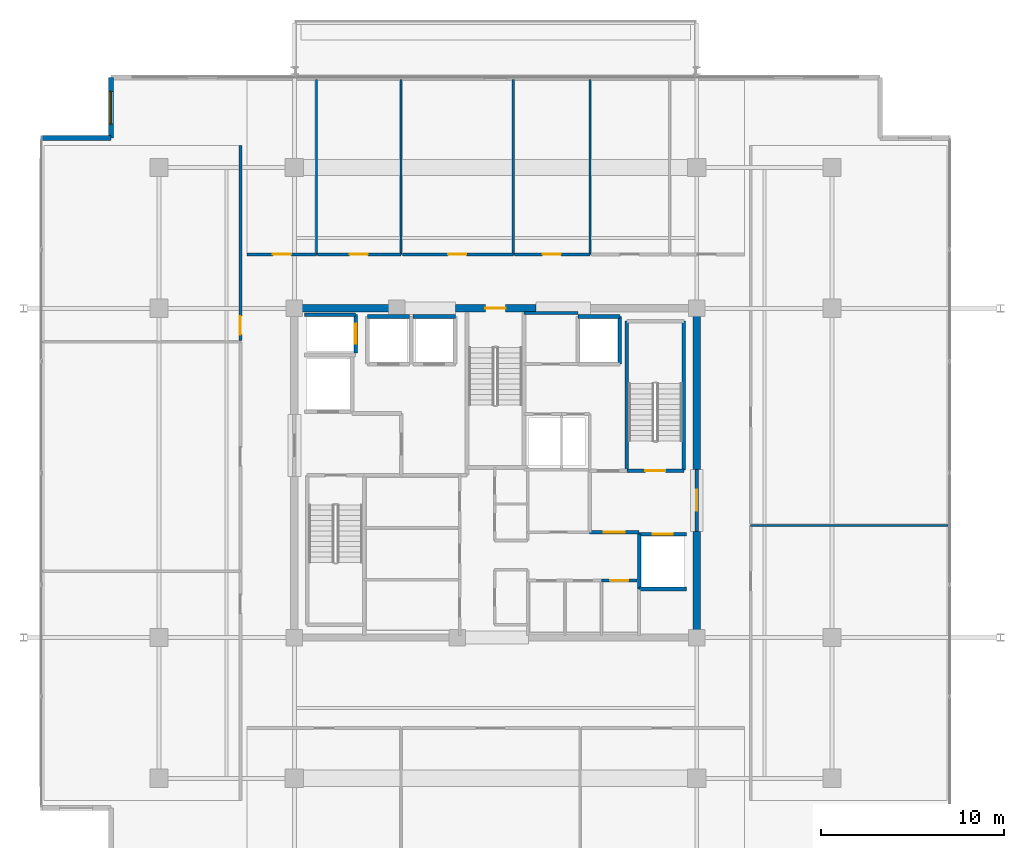
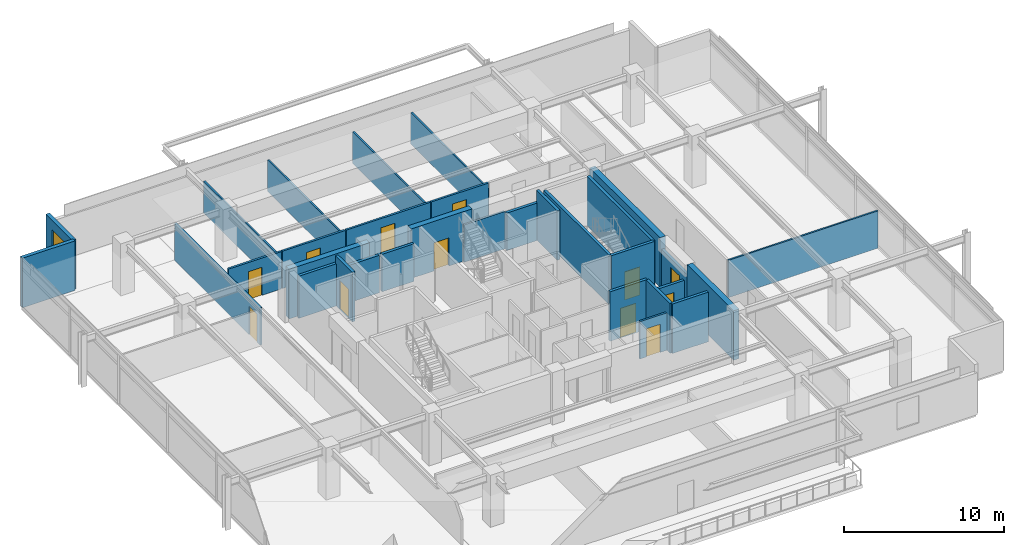
# One storey, part 15 of 20: 32 walls, 12 doors, 1 window, 13 openings.
"""IFC4 building model written with IfcOpenShell, lengths in metres."""

from ifc_helpers import new_model, si_unit, direction, frame, frame_2d, origin, place, context, subcontext, project, spatial, rectangle, extrude, material, layer, layer_set, type_object, element, fill, save


model = new_model("IFC4")

# Units and contexts
model_context = context("Model", 3, precision=1e-05, world=origin(), true_north=direction((0.0, 1.0)))
body_context = subcontext(model_context, "Body", "Model", "MODEL_VIEW")
ifc_project = project(units=[si_unit("LENGTHUNIT", "METRE"), si_unit("AREAUNIT", "SQUARE_METRE"), si_unit("VOLUMEUNIT", "CUBIC_METRE"), si_unit("PLANEANGLEUNIT", "RADIAN"), si_unit("MASSUNIT", "GRAM", prefix="KILO")], contexts=[model_context])

# Site, building, storey
site_placement = place(None, origin())
site = spatial("IfcSite", under=ifc_project, at=site_placement, CompositionType="ELEMENT")
building_placement = place(site_placement, origin())
building = spatial("IfcBuilding", under=site, at=building_placement, Name="Kovane Verandah Tower", CompositionType="ELEMENT")
storey_placement = place(building_placement, frame((0.0, 0.0, 318.800048828125)))
storey = spatial("IfcBuildingStorey", under=building, at=storey_placement, Name="L74", CompositionType="ELEMENT", Elevation=318.800048828125)

# Wall, opening, door
ifc_material_1 = material(Name="Fire-Rated Gypsum Stud Partition", Category="gypsum")
ifc_layer_1 = layer(ifc_material_1, 0.14990234375)
ifc_layer_set_1 = layer_set([ifc_layer_1], Name="Fire-Rated Gypsum Stud Partition")
wall_type_1 = type_object("IfcWallType", Name="WL-COR-150", PredefinedType="PARTITIONING", material=ifc_layer_set_1)
wall_1_placement = place(storey_placement, frame((45.800048828125, 21.6201171875, 0.0), z_axis=(0.0, 0.0, 1.0), x_axis=(1.0, 0.0, 0.0)))
wall_1 = element("IfcWall", 1, at=wall_1_placement, inside=storey, type_object=wall_type_1, Name="L74 Quiet Wellness Room Partition", PredefinedType="PARTITIONING", context=body_context, shape_type="SweptSolid", body=[
    extrude(rectangle(XDim=1.93994140625, YDim=0.14990234375, at=frame_2d((0.969970703125, 0.0))), origin(), (0.0, 0.0, 1.0), 2.849853515625),
])
opening_1_placement = place(wall_1_placement, frame((0.469970703125, 0.0, 0.0)))
opening_1 = element("IfcOpeningElement", 2, at=opening_1_placement, cuts=wall_1, Name="Opening DR-L74-018", PredefinedType="OPENING", context=body_context, shape_type="SweptSolid", body=[
    extrude(rectangle(XDim=1.0, YDim=2.14990234375, at=frame_2d((0.5, 1.074951171875))), frame((0.0, 0.074951171875, 0.0), z_axis=(0.0, -1.0, 0.0), x_axis=(1.0, 0.0, 0.0)), (0.0, 0.0, 1.0), 0.14990234375),
])
ifc_material_2 = material(Name="FSC Spotted-Gum Timber Fire-Rated Office Door", Category="wood")
door_type_1 = type_object("IfcDoorType", Name="DR-OFF-1000", OperationType="SINGLE_SWING_LEFT", PredefinedType="DOOR", material=ifc_material_2)
door_1_placement = place(opening_1_placement, origin())
door_1 = element("IfcDoor", 3, at=door_1_placement, inside=storey, type_object=door_type_1, Name="L74 Quiet Wellness Room Door", OperationType="SINGLE_SWING_LEFT", OverallHeight=2.14990234375, OverallWidth=1.0, PredefinedType="DOOR", context=body_context, shape_type="SweptSolid", body=[
    extrude(rectangle(XDim=1.0, YDim=2.14990234375, at=frame_2d((0.5, 1.074951171875))), frame((0.0, 0.02490234375, 0.0), z_axis=(0.0, -1.0, 0.0), x_axis=(1.0, 0.0, 0.0)), (0.0, 0.0, 1.0), 0.050048828125),
])
fill(opening_1, door_1)

# Wall
wall_2_placement = place(storey_placement, frame((41.56005859375, 36.25, 0.0), z_axis=(0.0, 0.0, 1.0), x_axis=(1.0, 0.0, 0.0)))
element("IfcWall", 4, at=wall_2_placement, inside=storey, type_object=wall_type_1, Name="L74 Sky Telecom Riser North Wall", PredefinedType="PARTITIONING", context=body_context, shape_type="SweptSolid", body=[
    extrude(rectangle(XDim=2.93994140625, YDim=0.14990234375, at=frame_2d((1.469970703125, 0.0))), origin(), (0.0, 0.0, 1.0), 2.849853515625),
])

# Wall, opening, door
wall_3_placement = place(storey_placement, frame((26.39990234375, 39.449951171875, 0.0), z_axis=(0.0, 0.0, 1.0), x_axis=(1.0, 0.0, 0.0)))
wall_3 = element("IfcWall", 5, at=wall_3_placement, inside=storey, type_object=wall_type_1, Name="L74 Meeting Room N1 Corridor Partition", PredefinedType="PARTITIONING", context=body_context, shape_type="SweptSolid", body=[
    extrude(rectangle(XDim=3.80810546875, YDim=0.14990234375, at=frame_2d((1.904052734375, 0.0))), origin(), (0.0, 0.0, 1.0), 2.849853515625),
])
opening_2_placement = place(wall_3_placement, frame((1.4189453125, 0.0, 0.0)))
opening_2 = element("IfcOpeningElement", 6, at=opening_2_placement, cuts=wall_3, Name="Opening DR-L74-023", PredefinedType="OPENING", context=body_context, shape_type="SweptSolid", body=[
    extrude(rectangle(XDim=1.0, YDim=2.14990234375, at=frame_2d((0.5, 1.074951171875))), frame((0.0, 0.074951171875, 0.0), z_axis=(0.0, -1.0, 0.0), x_axis=(1.0, 0.0, 0.0)), (0.0, 0.0, 1.0), 0.14990234375),
])
door_2_placement = place(opening_2_placement, origin())
door_2 = element("IfcDoor", 7, at=door_2_placement, inside=storey, type_object=door_type_1, Name="L74 Meeting Room N1 Entrance Door", OperationType="SINGLE_SWING_RIGHT", OverallHeight=2.14990234375, OverallWidth=1.0, PredefinedType="DOOR", context=body_context, shape_type="SweptSolid", body=[
    extrude(rectangle(XDim=1.0, YDim=2.14990234375, at=frame_2d((0.5, 1.074951171875))), frame((0.0, 0.02490234375, 0.0), z_axis=(0.0, -1.0, 0.0), x_axis=(1.0, 0.0, 0.0)), (0.0, 0.0, 1.0), 0.050048828125),
])
fill(opening_2, door_2)

wall_4_placement = place(storey_placement, frame((30.278076171875, 39.449951171875, 0.0), z_axis=(0.0, 0.0, 1.0), x_axis=(1.0, 0.0, 0.0)))
wall_4 = element("IfcWall", 8, at=wall_4_placement, inside=storey, type_object=wall_type_1, Name="L74 Focus Studio N2 Corridor Partition", PredefinedType="PARTITIONING", context=body_context, shape_type="SweptSolid", body=[
    extrude(rectangle(XDim=4.553955078125, YDim=0.14990234375, at=frame_2d((2.27685546875, 0.0))), origin(), (0.0, 0.0, 1.0), 2.849853515625),
])
opening_3_placement = place(wall_4_placement, frame((1.741943359375, 0.0, 0.0)))
opening_3 = element("IfcOpeningElement", 9, at=opening_3_placement, cuts=wall_4, Name="Opening DR-L74-024", PredefinedType="OPENING", context=body_context, shape_type="SweptSolid", body=[
    extrude(rectangle(XDim=1.0, YDim=2.14990234375, at=frame_2d((0.5, 1.074951171875))), frame((0.0, 0.074951171875, 0.0), z_axis=(0.0, -1.0, 0.0), x_axis=(1.0, 0.0, 0.0)), (0.0, 0.0, 1.0), 0.14990234375),
])
door_3_placement = place(opening_3_placement, origin())
door_3 = element("IfcDoor", 10, at=door_3_placement, inside=storey, type_object=door_type_1, Name="L74 Focus Studio N2 Entrance Door", OperationType="SINGLE_SWING_LEFT", OverallHeight=2.14990234375, OverallWidth=1.0, PredefinedType="DOOR", context=body_context, shape_type="SweptSolid", body=[
    extrude(rectangle(XDim=1.0, YDim=2.14990234375, at=frame_2d((0.5, 1.074951171875))), frame((0.0, 0.02490234375, 0.0), z_axis=(0.0, -1.0, 0.0), x_axis=(1.0, 0.0, 0.0)), (0.0, 0.0, 1.0), 0.050048828125),
])
fill(opening_3, door_3)

wall_5_placement = place(storey_placement, frame((34.902099609375, 39.449951171875, 0.0), z_axis=(0.0, 0.0, 1.0), x_axis=(1.0, 0.0, 0.0)))
wall_5 = element("IfcWall", 11, at=wall_5_placement, inside=storey, type_object=wall_type_1, Name="L74 Breakout Pantry N3 Corridor Partition", PredefinedType="PARTITIONING", context=body_context, shape_type="SweptSolid", body=[
    extrude(rectangle(XDim=6.06787109375, YDim=0.14990234375, at=frame_2d((3.033935546875, 0.0))), origin(), (0.0, 0.0, 1.0), 2.849853515625),
])
opening_4_placement = place(wall_5_placement, frame((2.4990234375, 0.0, 0.0)))
opening_4 = element("IfcOpeningElement", 12, at=opening_4_placement, cuts=wall_5, Name="Opening DR-L74-025", PredefinedType="OPENING", context=body_context, shape_type="SweptSolid", body=[
    extrude(rectangle(XDim=1.0, YDim=2.14990234375, at=frame_2d((0.5, 1.074951171875))), frame((0.0, 0.074951171875, 0.0), z_axis=(0.0, -1.0, 0.0), x_axis=(1.0, 0.0, 0.0)), (0.0, 0.0, 1.0), 0.14990234375),
])
door_4_placement = place(opening_4_placement, origin())
door_4 = element("IfcDoor", 13, at=door_4_placement, inside=storey, type_object=door_type_1, Name="L74 Breakout Pantry N3 Entrance Door", OperationType="SINGLE_SWING_RIGHT", OverallHeight=2.14990234375, OverallWidth=1.0, PredefinedType="DOOR", context=body_context, shape_type="SweptSolid", body=[
    extrude(rectangle(XDim=1.0, YDim=2.14990234375, at=frame_2d((0.5, 1.074951171875))), frame((0.0, 0.02490234375, 0.0), z_axis=(0.0, -1.0, 0.0), x_axis=(1.0, 0.0, 0.0)), (0.0, 0.0, 1.0), 0.050048828125),
])
fill(opening_4, door_4)

wall_6_placement = place(storey_placement, frame((41.0400390625, 39.449951171875, 0.0), z_axis=(0.0, 0.0, 1.0), x_axis=(1.0, 0.0, 0.0)))
wall_6 = element("IfcWall", 14, at=wall_6_placement, inside=storey, type_object=wall_type_1, Name="L74 Collaboration Hub N4 Corridor Partition", PredefinedType="PARTITIONING", context=body_context, shape_type="SweptSolid", body=[
    extrude(rectangle(XDim=4.1279296875, YDim=0.14990234375, at=frame_2d((2.06396484375, 0.0))), origin(), (0.0, 0.0, 1.0), 2.849853515625),
])
opening_5_placement = place(wall_6_placement, frame((1.529052734375, 0.0, 0.0)))
opening_5 = element("IfcOpeningElement", 15, at=opening_5_placement, cuts=wall_6, Name="Opening DR-L74-026", PredefinedType="OPENING", context=body_context, shape_type="SweptSolid", body=[
    extrude(rectangle(XDim=1.0, YDim=2.14990234375, at=frame_2d((0.5, 1.074951171875))), frame((0.0, 0.074951171875, 0.0), z_axis=(0.0, -1.0, 0.0), x_axis=(1.0, 0.0, 0.0)), (0.0, 0.0, 1.0), 0.14990234375),
])
door_5_placement = place(opening_5_placement, origin())
door_5 = element("IfcDoor", 16, at=door_5_placement, inside=storey, type_object=door_type_1, Name="L74 Collaboration Hub N4 Entrance Door", OperationType="SINGLE_SWING_LEFT", OverallHeight=2.14990234375, OverallWidth=1.0, PredefinedType="DOOR", context=body_context, shape_type="SweptSolid", body=[
    extrude(rectangle(XDim=1.0, YDim=2.14990234375, at=frame_2d((0.5, 1.074951171875))), frame((0.0, 0.02490234375, 0.0), z_axis=(0.0, -1.0, 0.0), x_axis=(1.0, 0.0, 0.0)), (0.0, 0.0, 1.0), 0.050048828125),
])
fill(opening_5, door_5)

wall_7_placement = place(storey_placement, frame((26.050048828125, 34.736328125, 0.0), z_axis=(0.0, 0.0, 1.0), x_axis=(0.0, 1.0, 0.0)))
wall_7 = element("IfcWall", 17, at=wall_7_placement, inside=storey, type_object=wall_type_1, Name="L74 Collaboration Hub W3 Corridor Partition", PredefinedType="PARTITIONING", context=body_context, shape_type="SweptSolid", body=[
    extrude(rectangle(XDim=10.679443359375, YDim=0.14990234375, at=frame_2d((5.33984375, 0.0))), origin(), (0.0, 0.0, 1.0), 2.849853515625),
])
opening_6_placement = place(wall_7_placement, frame((0.331787109375, 0.0, 0.0)))
opening_6 = element("IfcOpeningElement", 18, at=opening_6_placement, cuts=wall_7, Name="Opening DR-L74-037", PredefinedType="OPENING", context=body_context, shape_type="SweptSolid", body=[
    extrude(rectangle(XDim=1.0, YDim=2.14990234375, at=frame_2d((0.5, 1.074951171875))), frame((0.0, 0.074951171875, 0.0), z_axis=(0.0, -1.0, 0.0), x_axis=(1.0, 0.0, 0.0)), (0.0, 0.0, 1.0), 0.14990234375),
])
door_6_placement = place(opening_6_placement, origin())
door_6 = element("IfcDoor", 19, at=door_6_placement, inside=storey, type_object=door_type_1, Name="L74 Collaboration Hub W3 Entrance Door", OperationType="SINGLE_SWING_LEFT", OverallHeight=2.14990234375, OverallWidth=1.0, PredefinedType="DOOR", context=body_context, shape_type="SweptSolid", body=[
    extrude(rectangle(XDim=1.0, YDim=2.14990234375, at=frame_2d((0.5, 1.074951171875))), frame((0.0, 0.02490234375, 0.0), z_axis=(0.0, -1.0, 0.0), x_axis=(1.0, 0.0, 0.0)), (0.0, 0.0, 1.0), 0.050048828125),
])
fill(opening_6, door_6)

# Wall
ifc_material_3 = material(Name="Concrete C60/75", Category="concrete")
ifc_layer_2 = layer(ifc_material_3, 0.39990234375)
ifc_layer_set_2 = layer_set([ifc_layer_2], Name="Concrete C60/75")
wall_type_2 = type_object("IfcWallType", Name="WL-CORE-400", PredefinedType="SHEAR", material=ifc_layer_set_2)
wall_8_placement = place(storey_placement, frame((29.0, 36.5, 0.0), z_axis=(0.0, 0.0, 1.0), x_axis=(1.0, 0.0, 0.0)))
element("IfcWall", 20, at=wall_8_placement, inside=storey, type_object=wall_type_2, Name="L74 Core Shear Wall CN-1", PredefinedType="SHEAR", context=body_context, shape_type="SweptSolid", body=[
    extrude(rectangle(XDim=5.800048828125, YDim=0.39990234375, at=frame_2d((2.89990234375, 0.0))), origin(), (0.0, 0.0, 1.0), 3.784912109375),
])

# Wall, opening, door
wall_9_placement = place(storey_placement, frame((37.800048828125, 36.5, 0.0), z_axis=(0.0, 0.0, 1.0), x_axis=(1.0, 0.0, 0.0)))
wall_9 = element("IfcWall", 21, at=wall_9_placement, inside=storey, type_object=wall_type_2, Name="L74 Core Shear Wall CN-2", PredefinedType="SHEAR", context=body_context, shape_type="SweptSolid", body=[
    extrude(rectangle(XDim=4.39990234375, YDim=0.39990234375, at=frame_2d((2.199951171875, 0.0))), origin(), (0.0, 0.0, 1.0), 3.784912109375),
])
opening_7_placement = place(wall_9_placement, frame((1.64990234375, 0.0, 0.0)))
opening_7 = element("IfcOpeningElement", 22, at=opening_7_placement, cuts=wall_9, Name="Opening DR-L74-010", PredefinedType="OPENING", context=body_context, shape_type="SweptSolid", body=[
    extrude(rectangle(XDim=1.10009765625, YDim=2.14990234375, at=frame_2d((0.550048828125, 1.074951171875))), frame((0.0, 0.199951171875, 0.0), z_axis=(0.0, -1.0, 0.0), x_axis=(1.0, 0.0, 0.0)), (0.0, 0.0, 1.0), 0.39990234375),
])
ifc_material_4 = material(Name="Fire-Rated Steel Exit Door", Category="steel")
door_type_2 = type_object("IfcDoorType", Name="DR-STAIR-1100", OperationType="SINGLE_SWING_LEFT", PredefinedType="DOOR", material=ifc_material_4)
door_7_placement = place(opening_7_placement, origin())
door_7 = element("IfcDoor", 23, at=door_7_placement, inside=storey, type_object=door_type_2, Name="L74 ST-03 Fire Exit Stair Door", OperationType="SINGLE_SWING_RIGHT", OverallHeight=2.14990234375, OverallWidth=1.10009765625, PredefinedType="DOOR", context=body_context, shape_type="SweptSolid", body=[
    extrude(rectangle(XDim=1.10009765625, YDim=2.14990234375, at=frame_2d((0.550048828125, 1.074951171875))), frame((0.0, 0.02490234375, 0.0), z_axis=(0.0, -1.0, 0.0), x_axis=(1.0, 0.0, 0.0)), (0.0, 0.0, 1.0), 0.050048828125),
])
fill(opening_7, door_7)

# Walls
wall_10_placement = place(storey_placement, frame((51.0, 18.5, 0.0), z_axis=(0.0, 0.0, 1.0), x_axis=(0.0, 1.0, 0.0)))
element("IfcWall", 24, at=wall_10_placement, inside=storey, type_object=wall_type_2, Name="L74 Core Shear Wall CE-1", PredefinedType="SHEAR", context=body_context, shape_type="SweptSolid", body=[
    extrude(rectangle(XDim=5.800048828125, YDim=0.39990234375, at=frame_2d((2.89990234375, 0.0))), origin(), (0.0, 0.0, 1.0), 3.784912109375),
])
wall_11_placement = place(storey_placement, frame((51.0, 27.699951171875, 0.0), z_axis=(0.0, 0.0, 1.0), x_axis=(0.0, 1.0, 0.0)))
element("IfcWall", 25, at=wall_11_placement, inside=storey, type_object=wall_type_2, Name="L74 Core Shear Wall CE-2", PredefinedType="SHEAR", context=body_context, shape_type="SweptSolid", body=[
    extrude(rectangle(XDim=8.800048828125, YDim=0.39990234375, at=frame_2d((4.39990234375, 0.0))), origin(), (0.0, 0.0, 1.0), 3.784912109375),
])

# Wall, opening, door
ifc_material_5 = material(Name="Concrete C45/55 Fire Wall", Category="concrete")
ifc_layer_3 = layer(ifc_material_5, 0.199951171875)
ifc_layer_set_3 = layer_set([ifc_layer_3], Name="Concrete C45/55 Fire Wall")
wall_type_3 = type_object("IfcWallType", Name="WL-FFL-200", PredefinedType="PARTITIONING", material=ifc_layer_set_3)
wall_12_placement = place(storey_placement, frame((45.14990234375, 24.25, 0.0), z_axis=(0.0, 0.0, 1.0), x_axis=(1.0, 0.0, 0.0)))
wall_12 = element("IfcWall", 26, at=wall_12_placement, inside=storey, type_object=wall_type_3, Name="W-L74-FFLE-S", PredefinedType="PARTITIONING", context=body_context, shape_type="SweptSolid", body=[
    extrude(rectangle(XDim=2.7001953125, YDim=0.199951171875, at=frame_2d((1.35009765625, 0.0))), origin(), (0.0, 0.0, 1.0), 3.784912109375),
])
opening_8_placement = place(wall_12_placement, frame((0.77490234375, 0.0, 0.0)))
opening_8 = element("IfcOpeningElement", 27, at=opening_8_placement, cuts=wall_12, Name="Opening DR-L74-003", PredefinedType="OPENING", context=body_context, shape_type="SweptSolid", body=[
    extrude(rectangle(XDim=1.14990234375, YDim=2.199951171875, at=frame_2d((0.574951171875, 1.10009765625))), frame((0.0, 0.10009765625, 0.0), z_axis=(0.0, -1.0, 0.0), x_axis=(1.0, 0.0, 0.0)), (0.0, 0.0, 1.0), 0.199951171875),
])
ifc_material_6 = material(Name="Smoke-Sealed Firefighting Lobby Door", Category="steel")
door_type_3 = type_object("IfcDoorType", Name="DR-FFL-1150", OperationType="SINGLE_SWING_LEFT", PredefinedType="DOOR", material=ifc_material_6)
door_8_placement = place(opening_8_placement, origin())
door_8 = element("IfcDoor", 28, at=door_8_placement, inside=storey, type_object=door_type_3, Name="L74 East Firefighting Lobby Inner Door", OperationType="SINGLE_SWING_RIGHT", OverallHeight=2.199951171875, OverallWidth=1.14990234375, PredefinedType="DOOR", context=body_context, shape_type="SweptSolid", body=[
    extrude(rectangle(XDim=1.14990234375, YDim=2.199951171875, at=frame_2d((0.574951171875, 1.10009765625))), frame((0.0, 0.02490234375, 0.0), z_axis=(0.0, -1.0, 0.0), x_axis=(1.0, 0.0, 0.0)), (0.0, 0.0, 1.0), 0.050048828125),
])
fill(opening_8, door_8)

wall_13_placement = place(storey_placement, frame((51.0, 24.300048828125, 0.0), z_axis=(0.0, 0.0, 1.0), x_axis=(0.0, 1.0, 0.0)))
wall_13 = element("IfcWall", 29, at=wall_13_placement, inside=storey, type_object=wall_type_3, Name="W-L74-FFLE-OUT", PredefinedType="PARTITIONING", context=body_context, shape_type="SweptSolid", body=[
    extrude(rectangle(XDim=3.39990234375, YDim=0.199951171875, at=frame_2d((1.699951171875, 0.0))), origin(), (0.0, 0.0, 1.0), 2.864990234375),
])
opening_9_placement = place(wall_13_placement, frame((1.125, 0.0, 0.0)))
opening_9 = element("IfcOpeningElement", 30, at=opening_9_placement, cuts=wall_13, Name="Opening DR-L74-005", PredefinedType="OPENING", context=body_context, shape_type="SweptSolid", body=[
    extrude(rectangle(XDim=1.14990234375, YDim=2.199951171875, at=frame_2d((0.574951171875, 1.10009765625))), frame((0.0, 0.10009765625, 0.0), z_axis=(0.0, -1.0, 0.0), x_axis=(1.0, 0.0, 0.0)), (0.0, 0.0, 1.0), 0.199951171875),
])
door_9_placement = place(opening_9_placement, origin())
door_9 = element("IfcDoor", 31, at=door_9_placement, inside=storey, type_object=door_type_3, Name="L74 East Firefighting Lobby Corridor Door", OperationType="SINGLE_SWING_LEFT", OverallHeight=2.199951171875, OverallWidth=1.14990234375, PredefinedType="DOOR", context=body_context, shape_type="SweptSolid", body=[
    extrude(rectangle(XDim=1.14990234375, YDim=2.199951171875, at=frame_2d((0.574951171875, 1.10009765625))), frame((0.0, 0.02490234375, 0.0), z_axis=(0.0, -1.0, 0.0), x_axis=(1.0, 0.0, 0.0)), (0.0, 0.0, 1.0), 0.050048828125),
])
fill(opening_9, door_9)

# Wall
ifc_material_7 = material(Name="Concrete C45/55 Lift Shaft Wall", Category="concrete")
ifc_layer_4 = layer(ifc_material_7, 0.199951171875)
ifc_layer_set_4 = layer_set([ifc_layer_4], Name="Concrete C45/55 Lift Shaft Wall")
wall_type_4 = type_object("IfcWallType", Name="WL-LIFT-200", PredefinedType="SOLIDWALL", material=ifc_layer_set_4)
wall_14_placement = place(storey_placement, frame((47.85009765625, 21.14990234375, 0.0), z_axis=(0.0, 0.0, 1.0), x_axis=(1.0, 0.0, 0.0)))
element("IfcWall", 32, at=wall_14_placement, inside=storey, type_object=wall_type_4, Name="L74 Lift FL-02 S Shaft Wall", PredefinedType="SOLIDWALL", context=body_context, shape_type="SweptSolid", body=[
    extrude(rectangle(XDim=2.599853515625, YDim=0.199951171875, at=frame_2d((1.2998046875, 0.0))), origin(), (0.0, 0.0, 1.0), 3.784912109375),
])

# Wall, opening, door
wall_15_placement = place(storey_placement, frame((50.449951171875, 24.14990234375, 0.0), z_axis=(0.0, 0.0, 1.0), x_axis=(-1.0, 0.0, 0.0)))
wall_15 = element("IfcWall", 33, at=wall_15_placement, inside=storey, type_object=wall_type_4, Name="L74 Lift FL-02 N Shaft Wall", PredefinedType="SOLIDWALL", context=body_context, shape_type="SweptSolid", body=[
    extrude(rectangle(XDim=2.599853515625, YDim=0.199951171875, at=frame_2d((1.2998046875, 0.0))), origin(), (0.0, 0.0, 1.0), 2.864990234375),
])
opening_10_placement = place(wall_15_placement, frame((0.75, 0.0, 0.0)))
opening_10 = element("IfcOpeningElement", 34, at=opening_10_placement, cuts=wall_15, Name="Opening LD-L74-002", PredefinedType="OPENING", context=body_context, shape_type="SweptSolid", body=[
    extrude(rectangle(XDim=1.10009765625, YDim=2.199951171875, at=frame_2d((0.550048828125, 1.10009765625))), frame((0.0, 0.10009765625, 0.0), z_axis=(0.0, -1.0, 0.0), x_axis=(1.0, 0.0, 0.0)), (0.0, 0.0, 1.0), 0.199951171875),
])
ifc_material_8 = material(Name="Brushed Stainless Steel Sliding Lift Landing Door", Category="steel")
door_type_4 = type_object("IfcDoorType", Name="DR-LIFT-1100", OperationType="SLIDING_TO_RIGHT", PredefinedType="DOOR", material=ifc_material_8)
door_10_placement = place(opening_10_placement, origin())
door_10 = element("IfcDoor", 35, at=door_10_placement, inside=storey, type_object=door_type_4, Name="L74 Lift FL-02 Sliding Landing Door", OperationType="SLIDING_TO_RIGHT", OverallHeight=2.199951171875, OverallWidth=1.10009765625, PredefinedType="DOOR", context=body_context, shape_type="SweptSolid", body=[
    extrude(rectangle(XDim=1.10009765625, YDim=2.199951171875, at=frame_2d((0.550048828125, 1.10009765625))), frame((0.0, 0.02490234375, 0.0), z_axis=(0.0, -1.0, 0.0), x_axis=(1.0, 0.0, 0.0)), (0.0, 0.0, 1.0), 0.050048828125),
])
fill(opening_10, door_10)

# Walls
wall_16_placement = place(storey_placement, frame((47.85009765625, 24.14990234375, 0.0), z_axis=(0.0, 0.0, 1.0), x_axis=(0.0, -1.0, 0.0)))
element("IfcWall", 36, at=wall_16_placement, inside=storey, type_object=wall_type_4, Name="L74 Lift FL-02 W Shaft Wall", PredefinedType="SOLIDWALL", context=body_context, shape_type="SweptSolid", body=[
    extrude(rectangle(XDim=3.0, YDim=0.199951171875, at=frame_2d((1.5, 0.0))), origin(), (0.0, 0.0, 1.0), 3.784912109375),
])
wall_17_placement = place(storey_placement, frame((32.35009765625, 36.14990234375, 0.0), z_axis=(0.0, 0.0, 1.0), x_axis=(-1.0, 0.0, 0.0)))
element("IfcWall", 37, at=wall_17_placement, inside=storey, type_object=wall_type_4, Name="L74 Lift GL-01 N Shaft Wall", PredefinedType="SOLIDWALL", context=body_context, shape_type="SweptSolid", body=[
    extrude(rectangle(XDim=2.800048828125, YDim=0.199951171875, at=frame_2d((1.39990234375, 0.0))), origin(), (0.0, 0.0, 1.0), 3.220458984375),
])

# Wall, opening, door
wall_18_placement = place(storey_placement, frame((32.35009765625, 34.050048828125, 0.0), z_axis=(0.0, 0.0, 1.0), x_axis=(0.0, 1.0, 0.0)))
wall_18 = element("IfcWall", 38, at=wall_18_placement, inside=storey, type_object=wall_type_4, Name="L74 Lift GL-01 E Shaft Wall", PredefinedType="SOLIDWALL", context=body_context, shape_type="SweptSolid", body=[
    extrude(rectangle(XDim=2.099853515625, YDim=0.199951171875, at=frame_2d((1.0498046875, 0.0))), origin(), (0.0, 0.0, 1.0), 3.784912109375),
])
opening_11_placement = place(wall_18_placement, frame((0.5, 0.0, 0.0)))
opening_11 = element("IfcOpeningElement", 39, at=opening_11_placement, cuts=wall_18, Name="Opening LD-L74-003", PredefinedType="OPENING", context=body_context, shape_type="SweptSolid", body=[
    extrude(rectangle(XDim=1.10009765625, YDim=2.199951171875, at=frame_2d((0.550048828125, 1.10009765625))), frame((0.0, 0.10009765625, 0.0), z_axis=(0.0, -1.0, 0.0), x_axis=(1.0, 0.0, 0.0)), (0.0, 0.0, 1.0), 0.199951171875),
])
door_11_placement = place(opening_11_placement, origin())
door_11 = element("IfcDoor", 40, at=door_11_placement, inside=storey, type_object=door_type_4, Name="L74 Lift GL-01 Sliding Landing Door", OperationType="SLIDING_TO_RIGHT", OverallHeight=2.199951171875, OverallWidth=1.10009765625, PredefinedType="DOOR", context=body_context, shape_type="SweptSolid", body=[
    extrude(rectangle(XDim=1.10009765625, YDim=2.199951171875, at=frame_2d((0.550048828125, 1.10009765625))), frame((0.0, 0.02490234375, 0.0), z_axis=(0.0, -1.0, 0.0), x_axis=(1.0, 0.0, 0.0)), (0.0, 0.0, 1.0), 0.050048828125),
])
fill(opening_11, door_11)

# Walls
for number, where, z_axis, x_axis, name in (
    (41, (35.300048828125, 36.050048828125, 0.0), (0.0, 0.0, 1.0), (-1.0, 0.0, 0.0), "L74 Lift PL-H1 N Shaft Wall"),
    (42, (37.800048828125, 36.050048828125, 0.0), (0.0, 0.0, 1.0), (-1.0, 0.0, 0.0), "L74 Lift PL-H2 N Shaft Wall"),
    (43, (46.800048828125, 36.050048828125, 0.0), (0.0, 0.0, 1.0), (-1.0, 0.0, 0.0), "L74 Lift OL-01 N Shaft Wall"),
):
    element("IfcWall", number, at=place(storey_placement, frame(where, z_axis=z_axis, x_axis=x_axis)), inside=storey, type_object=wall_type_4, Name=name, PredefinedType="SOLIDWALL", context=body_context, shape_type="SweptSolid", body=[
        extrude(rectangle(XDim=2.300048828125, YDim=0.199951171875, at=frame_2d((1.14990234375, 0.0))), origin(), (0.0, 0.0, 1.0), 2.864990234375),
    ])
wall_19_placement = place(storey_placement, frame((46.800048828125, 33.449951171875, 0.0), z_axis=(0.0, 0.0, 1.0), x_axis=(0.0, 1.0, 0.0)))
element("IfcWall", 44, at=wall_19_placement, inside=storey, type_object=wall_type_4, Name="L74 Lift OL-01 E Shaft Wall", PredefinedType="SOLIDWALL", context=body_context, shape_type="SweptSolid", body=[
    extrude(rectangle(XDim=2.60009765625, YDim=0.199951171875, at=frame_2d((1.300048828125, 0.0))), origin(), (0.0, 0.0, 1.0), 3.784912109375),
])
ifc_material_9 = material(Name="Acoustic Fire-Rated Gypsum Partition", Category="gypsum")
ifc_layer_5 = layer(ifc_material_9, 0.1201171875)
ifc_layer_set_5 = layer_set([ifc_layer_5], Name="Acoustic Fire-Rated Gypsum Partition")
wall_type_5 = type_object("IfcWallType", Name="WL-PART-120", PredefinedType="PARTITIONING", material=ifc_layer_set_5)
for number, where, z_axis, x_axis, name in (
    (45, (30.2080078125, 39.449951171875, 0.0), (0.0, 0.0, 1.0), (0.0, 1.0, 0.0), "L74 Meeting Room N1 Dividing Partition"),
    (46, (34.83203125, 39.449951171875, 0.0), (0.0, 0.0, 1.0), (0.0, 1.0, 0.0), "L74 Focus Studio N2 Dividing Partition"),
    (47, (40.969970703125, 39.449951171875, 0.0), (0.0, 0.0, 1.0), (0.0, 1.0, 0.0), "L74 Breakout Pantry N3 Dividing Partition"),
    (48, (45.16796875, 39.449951171875, 0.0), (0.0, 0.0, 1.0), (0.0, 1.0, 0.0), "L74 Collaboration Hub N4 Dividing Partition"),
):
    element("IfcWall", number, at=place(storey_placement, frame(where, z_axis=z_axis, x_axis=x_axis)), inside=storey, type_object=wall_type_5, Name=name, PredefinedType="PARTITIONING", context=body_context, shape_type="SweptSolid", body=[
        extrude(rectangle(XDim=9.565673828125, YDim=0.1201171875, at=frame_2d((4.78271484375, 0.0))), origin(), (0.0, 0.0, 1.0), 2.4150390625),
    ])
wall_20_placement = place(storey_placement, frame((53.949951171875, 24.633544921875, 0.0), z_axis=(0.0, 0.0, 1.0), x_axis=(1.0, 0.0, 0.0)))
element("IfcWall", 49, at=wall_20_placement, inside=storey, type_object=wall_type_5, Name="L74 Document and Print Room E1 Dividing Partition", PredefinedType="PARTITIONING", context=body_context, shape_type="SweptSolid", body=[
    extrude(rectangle(XDim=10.781494140625, YDim=0.1201171875, at=frame_2d((5.390625, 0.0))), origin(), (0.0, 0.0, 1.0), 2.849853515625),
])
ifc_material_10 = material(Name="Concrete C45/55", Category="concrete")
ifc_layer_6 = layer(ifc_material_10, 0.199951171875)
ifc_layer_set_6 = layer_set([ifc_layer_6], Name="Concrete C45/55")
wall_type_6 = type_object("IfcWallType", Name="WL-SHAFT-200", PredefinedType="SOLIDWALL", material=ifc_layer_set_6)
wall_21_placement = place(storey_placement, frame((50.300048828125, 27.64990234375, 0.0), z_axis=(0.0, 0.0, 1.0), x_axis=(0.0, 1.0, 0.0)))
element("IfcWall", 50, at=wall_21_placement, inside=storey, type_object=wall_type_6, Name="W-L74-ST02-E", PredefinedType="SOLIDWALL", context=body_context, shape_type="SweptSolid", body=[
    extrude(rectangle(XDim=8.150146484375, YDim=0.199951171875, at=frame_2d((4.0751953125, 0.0))), origin(), (0.0, 0.0, 1.0), 3.784912109375),
])
wall_22_placement = place(storey_placement, frame((47.179931640625, 27.6201171875, 0.0), z_axis=(0.0, 0.0, 1.0), x_axis=(0.0, 1.0, 0.0)))
element("IfcWall", 51, at=wall_22_placement, inside=storey, type_object=wall_type_6, Name="W-L74-ST02-W", PredefinedType="SOLIDWALL", context=body_context, shape_type="SweptSolid", body=[
    extrude(rectangle(XDim=8.179931640625, YDim=0.199951171875, at=frame_2d((4.08984375, 0.0))), origin(), (0.0, 0.0, 1.0), 3.784912109375),
])

# Wall, opening, door
wall_23_placement = place(storey_placement, frame((47.179931640625, 27.6201171875, 0.0), z_axis=(0.0, 0.0, 1.0), x_axis=(1.0, 0.0, 0.0)))
wall_23 = element("IfcWall", 52, at=wall_23_placement, inside=storey, type_object=wall_type_6, Name="W-L74-ST02-S", PredefinedType="SOLIDWALL", context=body_context, shape_type="SweptSolid", body=[
    extrude(rectangle(XDim=3.1201171875, YDim=0.199951171875, at=frame_2d((1.56005859375, 0.0))), origin(), (0.0, 0.0, 1.0), 3.784912109375),
])
opening_12_placement = place(wall_23_placement, frame((1.010009765625, 0.0, 0.0)))
opening_12 = element("IfcOpeningElement", 53, at=opening_12_placement, cuts=wall_23, Name="Opening DR-L74-009", PredefinedType="OPENING", context=body_context, shape_type="SweptSolid", body=[
    extrude(rectangle(XDim=1.10009765625, YDim=2.14990234375, at=frame_2d((0.550048828125, 1.074951171875))), frame((0.0, 0.10009765625, 0.0), z_axis=(0.0, -1.0, 0.0), x_axis=(1.0, 0.0, 0.0)), (0.0, 0.0, 1.0), 0.199951171875),
])
door_12_placement = place(opening_12_placement, origin())
door_12 = element("IfcDoor", 54, at=door_12_placement, inside=storey, type_object=door_type_2, Name="L74 ST-02 Fire Exit Stair Door", OperationType="SINGLE_SWING_LEFT", OverallHeight=2.14990234375, OverallWidth=1.10009765625, PredefinedType="DOOR", context=body_context, shape_type="SweptSolid", body=[
    extrude(rectangle(XDim=1.10009765625, YDim=2.14990234375, at=frame_2d((0.550048828125, 1.074951171875))), frame((0.0, 0.02490234375, 0.0), z_axis=(0.0, -1.0, 0.0), x_axis=(1.0, 0.0, 0.0)), (0.0, 0.0, 1.0), 0.050048828125),
])
fill(opening_12, door_12)

# Wall, opening, window
ifc_material_11 = material(Name="Concrete C45/55 Insulated Spandrel Wall", Category="concrete")
ifc_layer_7 = layer(ifc_material_11, 0.260009765625)
ifc_layer_set_7 = layer_set([ifc_layer_7], Name="Concrete C45/55 Insulated Spandrel Wall")
wall_type_7 = type_object("IfcWallType", Name="WL-SPANDREL-260", PredefinedType="PARAPET", material=ifc_layer_set_7)
wall_24_placement = place(storey_placement, frame((18.968505859375, 49.11572265625, 0.0), z_axis=(0.0, 0.0, 1.0), x_axis=(0.0, -1.0, 0.0)))
wall_24 = element("IfcWall", 55, at=wall_24_placement, inside=storey, type_object=wall_type_7, Name="L74 NW Notch Cheek Wall 1", PredefinedType="PARAPET", context=body_context, shape_type="SweptSolid", body=[
    extrude(rectangle(XDim=3.300048828125, YDim=0.260009765625, at=frame_2d((1.64990234375, 0.0))), origin(), (0.0, 0.0, 1.0), 3.784912109375),
])
opening_13_placement = place(wall_24_placement, frame((0.75, 0.0, 0.85009765625)))
opening_13 = element("IfcOpeningElement", 56, at=opening_13_placement, cuts=wall_24, Name="Opening W-03", PredefinedType="OPENING", context=body_context, shape_type="SweptSolid", body=[
    extrude(rectangle(XDim=1.800048828125, YDim=2.199951171875, at=frame_2d((0.89990234375, 1.10009765625))), frame((0.0, 0.1298828125, 0.0), z_axis=(0.0, -1.0, 0.0), x_axis=(1.0, 0.0, 0.0)), (0.0, 0.0, 1.0), 0.260009765625),
])
ifc_material_12 = material(Name="Clear Low-E Laminated Double Glazing in Anodised Frame", Category="glass")
window_type = type_object("IfcWindowType", Name="WN-NOTCH-1800x2200", PartitioningType="SINGLE_PANEL", PredefinedType="WINDOW", material=ifc_material_12)
window_placement = place(opening_13_placement, origin())
window = element("IfcWindow", 57, at=window_placement, inside=storey, type_object=window_type, Name="L74 NW Re-Entrant Corner Operable Window", OverallHeight=2.199951171875, OverallWidth=1.800048828125, PartitioningType="SINGLE_PANEL", PredefinedType="WINDOW", context=body_context, shape_type="SweptSolid", body=[
    extrude(rectangle(XDim=1.800048828125, YDim=2.199951171875, at=frame_2d((0.89990234375, 1.10009765625))), frame((0.0, 0.030029296875, 0.0), z_axis=(0.0, -1.0, 0.0), x_axis=(1.0, 0.0, 0.0)), (0.0, 0.0, 1.0), 0.06005859375),
])
fill(opening_13, window)

# Wall
wall_25_placement = place(storey_placement, frame((18.968505859375, 45.815673828125, 0.0), z_axis=(0.0, 0.0, 1.0), x_axis=(-1.0, 0.0, 0.0)))
element("IfcWall", 58, at=wall_25_placement, inside=storey, type_object=wall_type_7, Name="L74 NW Notch Cheek Wall 2", PredefinedType="PARAPET", context=body_context, shape_type="SweptSolid", body=[
    extrude(rectangle(XDim=3.800048828125, YDim=0.260009765625, at=frame_2d((1.89990234375, 0.0))), origin(), (0.0, 0.0, 1.0), 3.784912109375),
])

save(model, "model.ifc")
